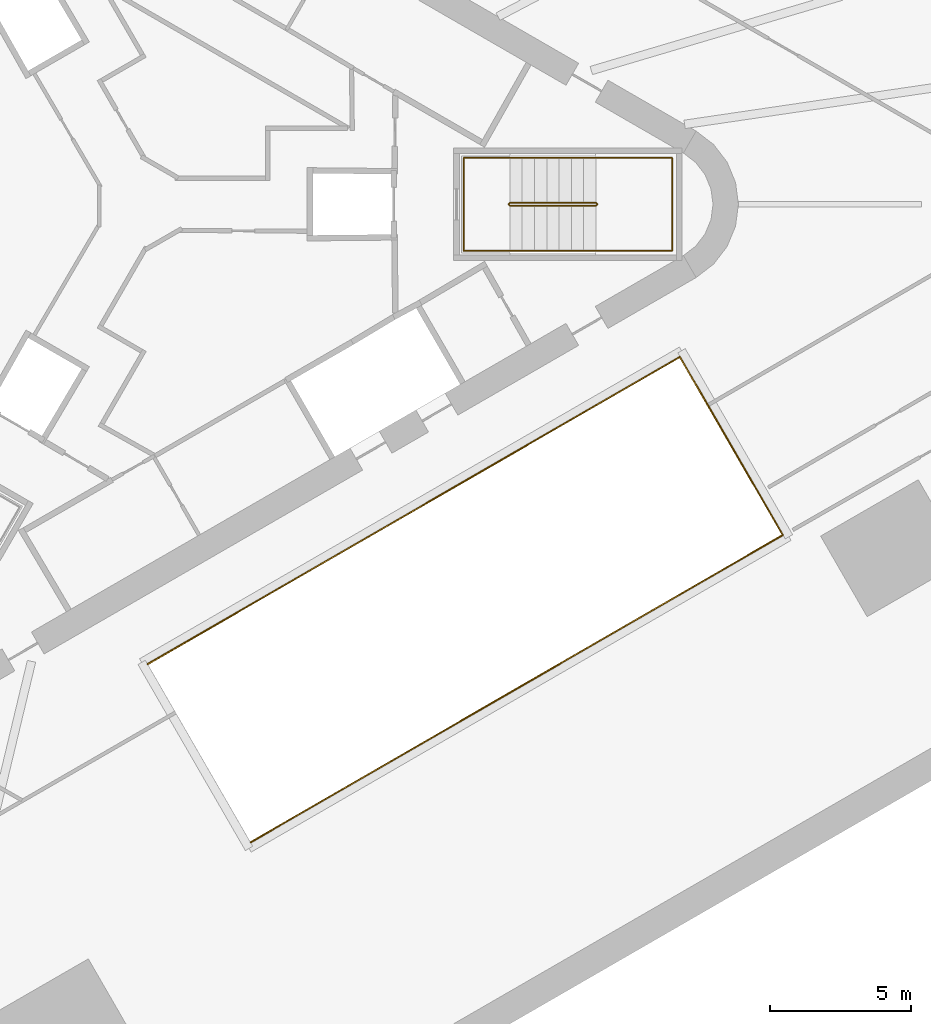
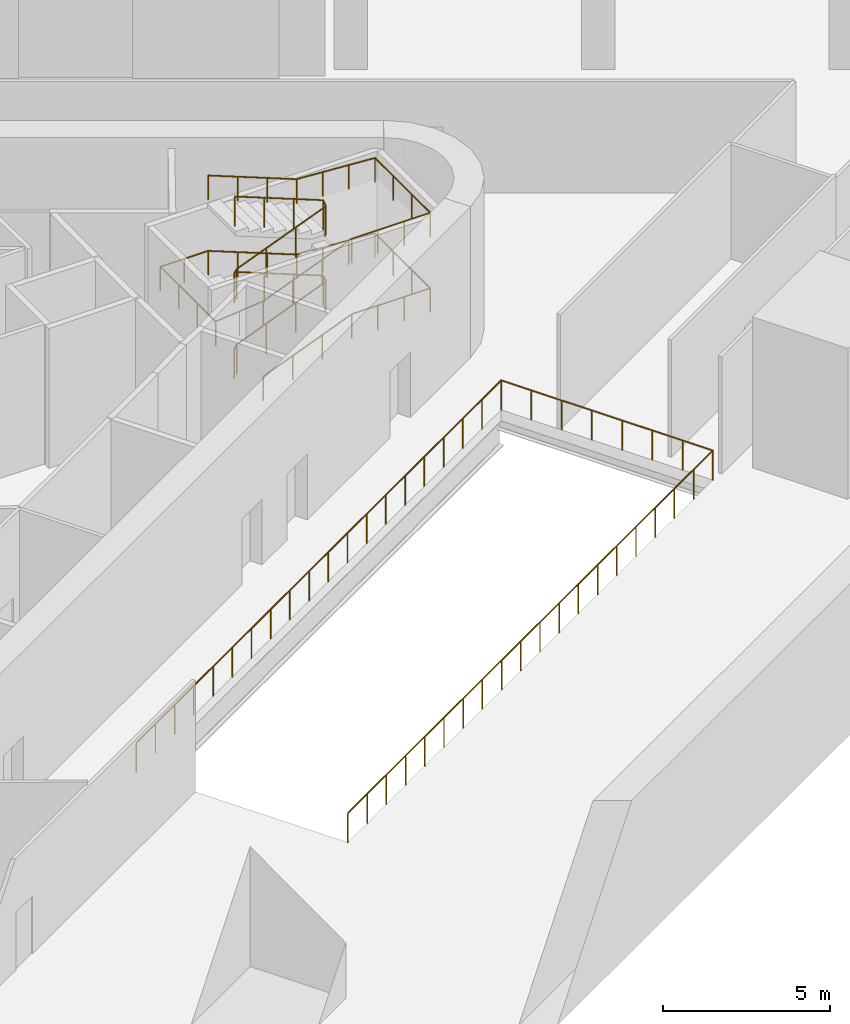
# One storey, part 13 of 13: 5 railings.
"""IFC4 building model written with IfcOpenShell, lengths in metres."""

from ifc_helpers import new_model, si_unit, direction, frame, origin, origin_2d, place, context, subcontext, project, spatial, circle, extrude, material, type_object, element, save


model = new_model("IFC4")

# Units and contexts
model_context = context("Model", 3, precision=1e-05, world=origin(), true_north=direction((0.0, 1.0)))
body_context = subcontext(model_context, "Body", "Model", "MODEL_VIEW")
ifc_project = project(units=[si_unit("LENGTHUNIT", "METRE"), si_unit("AREAUNIT", "SQUARE_METRE"), si_unit("VOLUMEUNIT", "CUBIC_METRE"), si_unit("PLANEANGLEUNIT", "RADIAN"), si_unit("MASSUNIT", "GRAM", prefix="KILO")], contexts=[model_context])

# Site, building, storey
site_placement = place(None, origin())
site = spatial("IfcSite", under=ifc_project, at=site_placement, CompositionType="ELEMENT")
building_placement = place(site_placement, origin())
building = spatial("IfcBuilding", under=site, at=building_placement, Name="Tanit Gate Tower", CompositionType="ELEMENT")
storey_placement = place(building_placement, frame((0.0, 0.0, -5.5)))
storey = spatial("IfcBuildingStorey", under=building, at=storey_placement, Name="B1", CompositionType="ELEMENT", Elevation=-5.5)

# Railings
ifc_material_1 = material(Name="Stainless steel balustrade", Category="steel")
railing_type_1 = type_object("IfcRailingType", Name="INT-STAIR-GUARD", PredefinedType="GUARDRAIL", material=ifc_material_1)
railing_1_placement = place(storey_placement, frame((13.044921875, 0.0048828125, 0.0)))
element("IfcRailing", 1, at=railing_1_placement, inside=storey, type_object=railing_type_1, Name="B1 S1 stair guard 1", PredefinedType="GUARDRAIL", context=body_context, shape_type="SweptSolid", body=[
    extrude(circle(Radius=0.02392578125, at=origin_2d()), frame((0.0, 0.0, 1.076171875), z_axis=(0.0, -1.0, 0.0), x_axis=(1.0, 0.0, 0.0)), (0.0, 0.0, 1.0), 0.009765625),
    extrude(circle(Radius=0.02392578125, at=origin_2d()), frame((0.0, -0.009765625, 1.076171875), z_axis=(0.269255725606, -0.269255725606, 0.92466356501), x_axis=(0.707106781187, 0.707106781187, 0.0)), (0.0, 0.0, 1.0), 0.185791015625),
    extrude(circle(Radius=0.02392578125, at=origin_2d()), frame((0.050048828125, -0.059814453125, 1.248046875), z_axis=(0.930282949324, 0.0, 0.366842792212), x_axis=(0.0, 1.0, 0.0)), (0.0, 0.0, 1.0), 3.27978515625),
    extrude(circle(Radius=0.02392578125, at=origin_2d()), frame((3.10107421875, -0.059814453125, 2.451171875), z_axis=(0.707106781187, 0.707106781187, 0.0), x_axis=(-0.707106781187, 0.707106781187, 0.0)), (0.0, 0.0, 1.0), 0.07080078125),
    extrude(circle(Radius=0.02392578125, at=origin_2d()), frame((3.151123046875, -0.009765625, 2.451171875), z_axis=(0.0, 1.0, 0.0), x_axis=(-1.0, 0.0, 0.0)), (0.0, 0.0, 1.0), 0.009765625),
    extrude(circle(Radius=0.02392578125, at=origin_2d()), frame((3.151123046875, 0.0, 2.451171875), z_axis=(-0.269255725606, 0.269255725606, 0.92466356501), x_axis=(-0.707106781187, -0.707106781187, 0.0)), (0.0, 0.0, 1.0), 0.185791015625),
    extrude(circle(Radius=0.02392578125, at=origin_2d()), frame((3.10107421875, 0.050048828125, 2.623046875), z_axis=(-0.930282949324, 0.0, 0.366842792212), x_axis=(0.0, -1.0, 0.0)), (0.0, 0.0, 1.0), 3.27978515625),
    extrude(circle(Radius=0.02392578125, at=origin_2d()), frame((0.050048828125, 0.050048828125, 3.826171875), z_axis=(-0.707106781187, -0.707106781187, 0.0), x_axis=(0.707106781187, -0.707106781187, 0.0)), (0.0, 0.0, 1.0), 0.07080078125),
    extrude(circle(Radius=0.02392578125, at=origin_2d()), frame((0.0, 0.0, 3.826171875), z_axis=(0.0, -1.0, 0.0), x_axis=(1.0, 0.0, 0.0)), (0.0, 0.0, 1.0), 0.009765625),
    extrude(circle(Radius=0.02392578125, at=origin_2d()), frame((0.0, -0.009765625, 3.826171875), z_axis=(0.269255725606, -0.269255725606, 0.92466356501), x_axis=(0.707106781187, 0.707106781187, 0.0)), (0.0, 0.0, 1.0), 0.185791015625),
    extrude(circle(Radius=0.02392578125, at=origin_2d()), frame((0.050048828125, -0.059814453125, 3.998046875), z_axis=(0.930282949324, 0.0, 0.366842792212), x_axis=(0.0, 1.0, 0.0)), (0.0, 0.0, 1.0), 3.27978515625),
    extrude(circle(Radius=0.02392578125, at=origin_2d()), frame((3.10107421875, -0.059814453125, 5.201171875), z_axis=(0.707106781187, 0.707106781187, 0.0), x_axis=(-0.707106781187, 0.707106781187, 0.0)), (0.0, 0.0, 1.0), 0.07080078125),
    extrude(circle(Radius=0.02392578125, at=origin_2d()), frame((3.151123046875, -0.009765625, 5.201171875), z_axis=(0.0, 1.0, 0.0), x_axis=(-1.0, 0.0, 0.0)), (0.0, 0.0, 1.0), 0.009765625),
    extrude(circle(Radius=0.02392578125, at=origin_2d()), frame((3.151123046875, 0.0, 5.201171875), z_axis=(-0.269255725606, 0.269255725606, 0.92466356501), x_axis=(-0.707106781187, -0.707106781187, 0.0)), (0.0, 0.0, 1.0), 0.185791015625),
    extrude(circle(Radius=0.02392578125, at=origin_2d()), frame((3.10107421875, 0.050048828125, 5.373046875), z_axis=(-0.930282949324, 0.0, 0.366842792212), x_axis=(0.0, -1.0, 0.0)), (0.0, 0.0, 1.0), 3.27978515625),
    extrude(circle(Radius=0.02099609375, at=origin_2d()), origin(), (0.0, 0.0, 1.0), 1.052001953125),
    extrude(circle(Radius=0.02099609375, at=origin_2d()), frame((0.0, -0.009765625, 0.0)), (0.0, 0.0, 1.0), 1.052001953125),
    extrude(circle(Radius=0.02099609375, at=origin_2d()), frame((0.050048828125, -0.059814453125, 0.171875)), (0.0, 0.0, 1.0), 1.052001953125),
    extrude(circle(Radius=0.02099609375, at=origin_2d()), frame((1.067138671875, -0.059814453125, 0.572998046875)), (0.0, 0.0, 1.0), 1.052001953125),
    extrude(circle(Radius=0.02099609375, at=origin_2d()), frame((2.083984375, -0.059814453125, 0.973876953125)), (0.0, 0.0, 1.0), 1.052001953125),
    extrude(circle(Radius=0.02099609375, at=origin_2d()), frame((3.10107421875, -0.059814453125, 1.375)), (0.0, 0.0, 1.0), 1.052001953125),
    extrude(circle(Radius=0.02099609375, at=origin_2d()), frame((3.151123046875, -0.009765625, 1.375)), (0.0, 0.0, 1.0), 1.052001953125),
    extrude(circle(Radius=0.02099609375, at=origin_2d()), frame((3.151123046875, 0.0, 1.375)), (0.0, 0.0, 1.0), 1.052001953125),
    extrude(circle(Radius=0.02099609375, at=origin_2d()), frame((3.10107421875, 0.050048828125, 1.546875)), (0.0, 0.0, 1.0), 1.052001953125),
    extrude(circle(Radius=0.02099609375, at=origin_2d()), frame((2.083984375, 0.050048828125, 1.947998046875)), (0.0, 0.0, 1.0), 1.052001953125),
    extrude(circle(Radius=0.02099609375, at=origin_2d()), frame((1.067138671875, 0.050048828125, 2.348876953125)), (0.0, 0.0, 1.0), 1.052001953125),
    extrude(circle(Radius=0.02099609375, at=origin_2d()), frame((0.050048828125, 0.050048828125, 2.75)), (0.0, 0.0, 1.0), 1.052001953125),
    extrude(circle(Radius=0.02099609375, at=origin_2d()), frame((0.0, 0.0, 2.75)), (0.0, 0.0, 1.0), 1.052001953125),
    extrude(circle(Radius=0.02099609375, at=origin_2d()), frame((0.0, -0.009765625, 2.75)), (0.0, 0.0, 1.0), 1.052001953125),
    extrude(circle(Radius=0.02099609375, at=origin_2d()), frame((0.050048828125, -0.059814453125, 2.921875)), (0.0, 0.0, 1.0), 1.052001953125),
    extrude(circle(Radius=0.02099609375, at=origin_2d()), frame((1.067138671875, -0.059814453125, 3.322998046875)), (0.0, 0.0, 1.0), 1.052001953125),
    extrude(circle(Radius=0.02099609375, at=origin_2d()), frame((2.083984375, -0.059814453125, 3.723876953125)), (0.0, 0.0, 1.0), 1.052001953125),
    extrude(circle(Radius=0.02099609375, at=origin_2d()), frame((3.10107421875, -0.059814453125, 4.125)), (0.0, 0.0, 1.0), 1.052001953125),
    extrude(circle(Radius=0.02099609375, at=origin_2d()), frame((3.151123046875, -0.009765625, 4.125)), (0.0, 0.0, 1.0), 1.052001953125),
    extrude(circle(Radius=0.02099609375, at=origin_2d()), frame((3.151123046875, 0.0, 4.125)), (0.0, 0.0, 1.0), 1.052001953125),
    extrude(circle(Radius=0.02099609375, at=origin_2d()), frame((3.10107421875, 0.050048828125, 4.296875)), (0.0, 0.0, 1.0), 1.052001953125),
    extrude(circle(Radius=0.02099609375, at=origin_2d()), frame((2.083984375, 0.050048828125, 4.697998046875)), (0.0, 0.0, 1.0), 1.052001953125),
    extrude(circle(Radius=0.02099609375, at=origin_2d()), frame((1.067138671875, 0.050048828125, 5.098876953125)), (0.0, 0.0, 1.0), 1.052001953125),
    extrude(circle(Radius=0.02099609375, at=origin_2d()), frame((0.050048828125, 0.050048828125, 5.5)), (0.0, 0.0, 1.0), 1.052001953125),
])
ifc_material_2 = material(Name="Stainless steel handrail", Category="steel")
railing_type_2 = type_object("IfcRailingType", Name="INT-STAIR-HANDRAIL", PredefinedType="HANDRAIL", material=ifc_material_2)
railing_2_placement = place(storey_placement, frame((13.094970703125, -1.64990234375, 0.171875)))
element("IfcRailing", 2, at=railing_2_placement, inside=storey, type_object=railing_type_2, Name="B1 S1 stair handrail 1", PredefinedType="HANDRAIL", context=body_context, shape_type="SweptSolid", body=[
    extrude(circle(Radius=0.02392578125, at=origin_2d()), frame((0.0, 0.0, 0.8759765625), z_axis=(0.930282949324, 0.0, 0.366842792212), x_axis=(0.0, 1.0, 0.0)), (0.0, 0.0, 1.0), 3.27978515625),
    extrude(circle(Radius=0.02392578125, at=origin_2d()), frame((3.051025390625, 0.0, 2.0791015625), z_axis=(1.0, 0.0, 0.0), x_axis=(0.0, 1.0, 0.0)), (0.0, 0.0, 1.0), 2.7041015625),
    extrude(circle(Radius=0.02392578125, at=origin_2d()), frame((5.755126953125, 0.0, 2.0791015625), z_axis=(0.0, 1.0, 0.0), x_axis=(-1.0, 0.0, 0.0)), (0.0, 0.0, 1.0), 3.2998046875),
    extrude(circle(Radius=0.02392578125, at=origin_2d()), frame((5.755126953125, 3.2998046875, 2.0791015625), z_axis=(-0.99798610904, 0.0, 0.063432847667), x_axis=(0.0, -1.0, 0.0)), (0.0, 0.0, 1.0), 2.70947265625),
    extrude(circle(Radius=0.02392578125, at=origin_2d()), frame((3.051025390625, 3.2998046875, 2.2509765625), z_axis=(-0.930282949324, 0.0, 0.366842792212), x_axis=(0.0, -1.0, 0.0)), (0.0, 0.0, 1.0), 3.27978515625),
    extrude(circle(Radius=0.02392578125, at=origin_2d()), frame((0.0, 3.2998046875, 3.4541015625), z_axis=(-1.0, 0.0, 0.0), x_axis=(0.0, -1.0, 0.0)), (0.0, 0.0, 1.0), 1.64501953125),
    extrude(circle(Radius=0.02392578125, at=origin_2d()), frame((-1.64501953125, 3.2998046875, 3.4541015625), z_axis=(0.0, -1.0, 0.0), x_axis=(1.0, 0.0, 0.0)), (0.0, 0.0, 1.0), 3.2998046875),
    extrude(circle(Radius=0.02392578125, at=origin_2d()), frame((-1.64501953125, 0.0, 3.4541015625), z_axis=(0.994586037459, 0.0, 0.103916380287), x_axis=(0.0, 1.0, 0.0)), (0.0, 0.0, 1.0), 1.654052734375),
    extrude(circle(Radius=0.02392578125, at=origin_2d()), frame((0.0, 0.0, 3.6259765625), z_axis=(0.930282949324, 0.0, 0.366842792212), x_axis=(0.0, 1.0, 0.0)), (0.0, 0.0, 1.0), 3.27978515625),
    extrude(circle(Radius=0.02392578125, at=origin_2d()), frame((3.051025390625, 0.0, 4.8291015625), z_axis=(1.0, 0.0, 0.0), x_axis=(0.0, 1.0, 0.0)), (0.0, 0.0, 1.0), 2.7041015625),
    extrude(circle(Radius=0.02392578125, at=origin_2d()), frame((5.755126953125, 0.0, 4.8291015625), z_axis=(0.0, 1.0, 0.0), x_axis=(-1.0, 0.0, 0.0)), (0.0, 0.0, 1.0), 3.2998046875),
    extrude(circle(Radius=0.02392578125, at=origin_2d()), frame((5.755126953125, 3.2998046875, 4.8291015625), z_axis=(-0.99798610904, 0.0, 0.063432847667), x_axis=(0.0, -1.0, 0.0)), (0.0, 0.0, 1.0), 2.70947265625),
    extrude(circle(Radius=0.02392578125, at=origin_2d()), frame((3.051025390625, 3.2998046875, 5.0009765625), z_axis=(-0.930282949324, 0.0, 0.366842792212), x_axis=(0.0, -1.0, 0.0)), (0.0, 0.0, 1.0), 3.27978515625),
    extrude(circle(Radius=0.02099609375, at=origin_2d()), origin(), (0.0, 0.0, 1.0), 0.851806640625),
    extrude(circle(Radius=0.02099609375, at=origin_2d()), frame((1.01708984375, 0.0, 0.401123046875)), (0.0, 0.0, 1.0), 0.851806640625),
    extrude(circle(Radius=0.02099609375, at=origin_2d()), frame((2.033935546875, 0.0, 0.802001953125)), (0.0, 0.0, 1.0), 0.851806640625),
    extrude(circle(Radius=0.02099609375, at=origin_2d()), frame((3.051025390625, 0.0, 1.203125)), (0.0, 0.0, 1.0), 0.851806640625),
    extrude(circle(Radius=0.02099609375, at=origin_2d()), frame((3.952392578125, 0.0, 1.203125)), (0.0, 0.0, 1.0), 0.851806640625),
    extrude(circle(Radius=0.02099609375, at=origin_2d()), frame((4.853759765625, 0.0, 1.203125)), (0.0, 0.0, 1.0), 0.851806640625),
    extrude(circle(Radius=0.02099609375, at=origin_2d()), frame((5.755126953125, 0.0, 1.203125)), (0.0, 0.0, 1.0), 0.851806640625),
    extrude(circle(Radius=0.02099609375, at=origin_2d()), frame((5.755126953125, 1.099853515625, 1.203125)), (0.0, 0.0, 1.0), 0.851806640625),
    extrude(circle(Radius=0.02099609375, at=origin_2d()), frame((5.755126953125, 2.199951171875, 1.203125)), (0.0, 0.0, 1.0), 0.851806640625),
    extrude(circle(Radius=0.02099609375, at=origin_2d()), frame((5.755126953125, 3.2998046875, 1.203125)), (0.0, 0.0, 1.0), 0.851806640625),
    extrude(circle(Radius=0.02099609375, at=origin_2d()), frame((4.853759765625, 3.2998046875, 1.260498046875)), (0.0, 0.0, 1.0), 0.851806640625),
    extrude(circle(Radius=0.02099609375, at=origin_2d()), frame((3.952392578125, 3.2998046875, 1.317626953125)), (0.0, 0.0, 1.0), 0.851806640625),
    extrude(circle(Radius=0.02099609375, at=origin_2d()), frame((3.051025390625, 3.2998046875, 1.375)), (0.0, 0.0, 1.0), 0.851806640625),
    extrude(circle(Radius=0.02099609375, at=origin_2d()), frame((2.033935546875, 3.2998046875, 1.776123046875)), (0.0, 0.0, 1.0), 0.851806640625),
    extrude(circle(Radius=0.02099609375, at=origin_2d()), frame((1.01708984375, 3.2998046875, 2.177001953125)), (0.0, 0.0, 1.0), 0.851806640625),
    extrude(circle(Radius=0.02099609375, at=origin_2d()), frame((0.0, 3.2998046875, 2.578125)), (0.0, 0.0, 1.0), 0.851806640625),
    extrude(circle(Radius=0.02099609375, at=origin_2d()), frame((-0.822509765625, 3.2998046875, 2.578125)), (0.0, 0.0, 1.0), 0.851806640625),
    extrude(circle(Radius=0.02099609375, at=origin_2d()), frame((-1.64501953125, 3.2998046875, 2.578125)), (0.0, 0.0, 1.0), 0.851806640625),
    extrude(circle(Radius=0.02099609375, at=origin_2d()), frame((-1.64501953125, 2.199951171875, 2.578125)), (0.0, 0.0, 1.0), 0.851806640625),
    extrude(circle(Radius=0.02099609375, at=origin_2d()), frame((-1.64501953125, 1.099853515625, 2.578125)), (0.0, 0.0, 1.0), 0.851806640625),
    extrude(circle(Radius=0.02099609375, at=origin_2d()), frame((-1.64501953125, 0.0, 2.578125)), (0.0, 0.0, 1.0), 0.851806640625),
    extrude(circle(Radius=0.02099609375, at=origin_2d()), frame((-0.822509765625, 0.0, 2.6640625)), (0.0, 0.0, 1.0), 0.851806640625),
    extrude(circle(Radius=0.02099609375, at=origin_2d()), frame((0.0, 0.0, 2.75)), (0.0, 0.0, 1.0), 0.851806640625),
    extrude(circle(Radius=0.02099609375, at=origin_2d()), frame((1.01708984375, 0.0, 3.151123046875)), (0.0, 0.0, 1.0), 0.851806640625),
    extrude(circle(Radius=0.02099609375, at=origin_2d()), frame((2.033935546875, 0.0, 3.552001953125)), (0.0, 0.0, 1.0), 0.851806640625),
    extrude(circle(Radius=0.02099609375, at=origin_2d()), frame((3.051025390625, 0.0, 3.953125)), (0.0, 0.0, 1.0), 0.851806640625),
    extrude(circle(Radius=0.02099609375, at=origin_2d()), frame((3.952392578125, 0.0, 3.953125)), (0.0, 0.0, 1.0), 0.851806640625),
    extrude(circle(Radius=0.02099609375, at=origin_2d()), frame((4.853759765625, 0.0, 3.953125)), (0.0, 0.0, 1.0), 0.851806640625),
    extrude(circle(Radius=0.02099609375, at=origin_2d()), frame((5.755126953125, 0.0, 3.953125)), (0.0, 0.0, 1.0), 0.851806640625),
    extrude(circle(Radius=0.02099609375, at=origin_2d()), frame((5.755126953125, 1.099853515625, 3.953125)), (0.0, 0.0, 1.0), 0.851806640625),
    extrude(circle(Radius=0.02099609375, at=origin_2d()), frame((5.755126953125, 2.199951171875, 3.953125)), (0.0, 0.0, 1.0), 0.851806640625),
    extrude(circle(Radius=0.02099609375, at=origin_2d()), frame((5.755126953125, 3.2998046875, 3.953125)), (0.0, 0.0, 1.0), 0.851806640625),
    extrude(circle(Radius=0.02099609375, at=origin_2d()), frame((4.853759765625, 3.2998046875, 4.010498046875)), (0.0, 0.0, 1.0), 0.851806640625),
    extrude(circle(Radius=0.02099609375, at=origin_2d()), frame((3.952392578125, 3.2998046875, 4.067626953125)), (0.0, 0.0, 1.0), 0.851806640625),
    extrude(circle(Radius=0.02099609375, at=origin_2d()), frame((3.051025390625, 3.2998046875, 4.125)), (0.0, 0.0, 1.0), 0.851806640625),
    extrude(circle(Radius=0.02099609375, at=origin_2d()), frame((2.033935546875, 3.2998046875, 4.526123046875)), (0.0, 0.0, 1.0), 0.851806640625),
    extrude(circle(Radius=0.02099609375, at=origin_2d()), frame((1.01708984375, 3.2998046875, 4.927001953125)), (0.0, 0.0, 1.0), 0.851806640625),
    extrude(circle(Radius=0.02099609375, at=origin_2d()), frame((0.0, 3.2998046875, 5.328125)), (0.0, 0.0, 1.0), 0.851806640625),
])
ifc_material_3 = material(Name="Steel S355", Category="steel")
railing_type_3 = type_object("IfcRailingType", Name="Ramp opening guard 1100", PredefinedType="GUARDRAIL", material=ifc_material_3)
railing_3_placement = place(storey_placement, frame((19.124755859375, -5.412841796875, 0.0)))
element("IfcRailing", 3, at=railing_3_placement, inside=storey, type_object=railing_type_3, Name="RAMP OPENING GUARD", PredefinedType="GUARDRAIL", context=body_context, shape_type="SweptSolid", body=[
    extrude(circle(Radius=0.02392578125, at=origin_2d()), frame((0.0, 0.0, 1.076171875), z_axis=(-0.866027609777, -0.499996179089, 0.0), x_axis=(0.499996179089, -0.866027609777, 0.0)), (0.0, 0.0, 1.0), 21.798095703125),
    extrude(circle(Radius=0.02099609375, at=origin_2d()), origin(), (0.0, 0.0, 1.0), 1.052001953125),
    extrude(circle(Radius=0.02099609375, at=origin_2d()), frame((-0.99365234375, -0.57373046875, 0.0)), (0.0, 0.0, 1.0), 1.052001953125),
    extrude(circle(Radius=0.02099609375, at=origin_2d()), frame((-1.987060546875, -1.147216796875, 0.0)), (0.0, 0.0, 1.0), 1.052001953125),
    extrude(circle(Radius=0.02099609375, at=origin_2d()), frame((-2.980712890625, -1.720947265625, 0.0)), (0.0, 0.0, 1.0), 1.052001953125),
    extrude(circle(Radius=0.02099609375, at=origin_2d()), frame((-3.974365234375, -2.29443359375, 0.0)), (0.0, 0.0, 1.0), 1.052001953125),
    extrude(circle(Radius=0.02099609375, at=origin_2d()), frame((-4.9677734375, -2.8681640625, 0.0)), (0.0, 0.0, 1.0), 1.052001953125),
    extrude(circle(Radius=0.02099609375, at=origin_2d()), frame((-5.96142578125, -3.441650390625, 0.0)), (0.0, 0.0, 1.0), 1.052001953125),
    extrude(circle(Radius=0.02099609375, at=origin_2d()), frame((-6.954833984375, -4.015380859375, 0.0)), (0.0, 0.0, 1.0), 1.052001953125),
    extrude(circle(Radius=0.02099609375, at=origin_2d()), frame((-7.948486328125, -4.589111328125, 0.0)), (0.0, 0.0, 1.0), 1.052001953125),
    extrude(circle(Radius=0.02099609375, at=origin_2d()), frame((-8.942138671875, -5.16259765625, 0.0)), (0.0, 0.0, 1.0), 1.052001953125),
    extrude(circle(Radius=0.02099609375, at=origin_2d()), frame((-9.935546875, -5.736328125, 0.0)), (0.0, 0.0, 1.0), 1.052001953125),
    extrude(circle(Radius=0.02099609375, at=origin_2d()), frame((-10.92919921875, -6.309814453125, 0.0)), (0.0, 0.0, 1.0), 1.052001953125),
    extrude(circle(Radius=0.02099609375, at=origin_2d()), frame((-11.9228515625, -6.883544921875, 0.0)), (0.0, 0.0, 1.0), 1.052001953125),
    extrude(circle(Radius=0.02099609375, at=origin_2d()), frame((-12.916259765625, -7.457275390625, 0.0)), (0.0, 0.0, 1.0), 1.052001953125),
    extrude(circle(Radius=0.02099609375, at=origin_2d()), frame((-13.909912109375, -8.03076171875, 0.0)), (0.0, 0.0, 1.0), 1.052001953125),
    extrude(circle(Radius=0.02099609375, at=origin_2d()), frame((-14.9033203125, -8.6044921875, 0.0)), (0.0, 0.0, 1.0), 1.052001953125),
    extrude(circle(Radius=0.02099609375, at=origin_2d()), frame((-15.89697265625, -9.177978515625, 0.0)), (0.0, 0.0, 1.0), 1.052001953125),
    extrude(circle(Radius=0.02099609375, at=origin_2d()), frame((-16.890625, -9.751708984375, 0.0)), (0.0, 0.0, 1.0), 1.052001953125),
    extrude(circle(Radius=0.02099609375, at=origin_2d()), frame((-17.884033203125, -10.3251953125, 0.0)), (0.0, 0.0, 1.0), 1.052001953125),
    extrude(circle(Radius=0.02099609375, at=origin_2d()), frame((-18.877685546875, -10.89892578125, 0.0)), (0.0, 0.0, 1.0), 1.052001953125),
])
railing_4_placement = place(storey_placement, frame((3.897216796875, -22.6337890625, 0.0)))
element("IfcRailing", 4, at=railing_4_placement, inside=storey, type_object=railing_type_3, Name="RAMP OPENING GUARD", PredefinedType="GUARDRAIL", context=body_context, shape_type="SweptSolid", body=[
    extrude(circle(Radius=0.02392578125, at=origin_2d()), frame((0.0, 0.0, 1.076171875), z_axis=(0.866024809747, 0.500001028902, 0.0), x_axis=(-0.500001028902, 0.866024809747, 0.0)), (0.0, 0.0, 1.0), 21.7978515625),
    extrude(circle(Radius=0.02099609375, at=origin_2d()), origin(), (0.0, 0.0, 1.0), 1.052001953125),
    extrude(circle(Radius=0.02099609375, at=origin_2d()), frame((0.99365234375, 0.57373046875, 0.0)), (0.0, 0.0, 1.0), 1.052001953125),
    extrude(circle(Radius=0.02099609375, at=origin_2d()), frame((1.987060546875, 1.147216796875, 0.0)), (0.0, 0.0, 1.0), 1.052001953125),
    extrude(circle(Radius=0.02099609375, at=origin_2d()), frame((2.980712890625, 1.720947265625, 0.0)), (0.0, 0.0, 1.0), 1.052001953125),
    extrude(circle(Radius=0.02099609375, at=origin_2d()), frame((3.97412109375, 2.29443359375, 0.0)), (0.0, 0.0, 1.0), 1.052001953125),
    extrude(circle(Radius=0.02099609375, at=origin_2d()), frame((4.9677734375, 2.8681640625, 0.0)), (0.0, 0.0, 1.0), 1.052001953125),
    extrude(circle(Radius=0.02099609375, at=origin_2d()), frame((5.961181640625, 3.441650390625, 0.0)), (0.0, 0.0, 1.0), 1.052001953125),
    extrude(circle(Radius=0.02099609375, at=origin_2d()), frame((6.954833984375, 4.015380859375, 0.0)), (0.0, 0.0, 1.0), 1.052001953125),
    extrude(circle(Radius=0.02099609375, at=origin_2d()), frame((7.948486328125, 4.589111328125, 0.0)), (0.0, 0.0, 1.0), 1.052001953125),
    extrude(circle(Radius=0.02099609375, at=origin_2d()), frame((8.94189453125, 5.16259765625, 0.0)), (0.0, 0.0, 1.0), 1.052001953125),
    extrude(circle(Radius=0.02099609375, at=origin_2d()), frame((9.935546875, 5.736328125, 0.0)), (0.0, 0.0, 1.0), 1.052001953125),
    extrude(circle(Radius=0.02099609375, at=origin_2d()), frame((10.928955078125, 6.309814453125, 0.0)), (0.0, 0.0, 1.0), 1.052001953125),
    extrude(circle(Radius=0.02099609375, at=origin_2d()), frame((11.922607421875, 6.883544921875, 0.0)), (0.0, 0.0, 1.0), 1.052001953125),
    extrude(circle(Radius=0.02099609375, at=origin_2d()), frame((12.916259765625, 7.457275390625, 0.0)), (0.0, 0.0, 1.0), 1.052001953125),
    extrude(circle(Radius=0.02099609375, at=origin_2d()), frame((13.90966796875, 8.03076171875, 0.0)), (0.0, 0.0, 1.0), 1.052001953125),
    extrude(circle(Radius=0.02099609375, at=origin_2d()), frame((14.9033203125, 8.6044921875, 0.0)), (0.0, 0.0, 1.0), 1.052001953125),
    extrude(circle(Radius=0.02099609375, at=origin_2d()), frame((15.896728515625, 9.177978515625, 0.0)), (0.0, 0.0, 1.0), 1.052001953125),
    extrude(circle(Radius=0.02099609375, at=origin_2d()), frame((16.890380859375, 9.751708984375, 0.0)), (0.0, 0.0, 1.0), 1.052001953125),
    extrude(circle(Radius=0.02099609375, at=origin_2d()), frame((17.8837890625, 10.3251953125, 0.0)), (0.0, 0.0, 1.0), 1.052001953125),
    extrude(circle(Radius=0.02099609375, at=origin_2d()), frame((18.87744140625, 10.89892578125, 0.0)), (0.0, 0.0, 1.0), 1.052001953125),
])
railing_5_placement = place(storey_placement, frame((22.774658203125, -11.73486328125, 0.0)))
element("IfcRailing", 5, at=railing_5_placement, inside=storey, type_object=railing_type_3, Name="RAMP OPENING GUARD", PredefinedType="GUARDRAIL", context=body_context, shape_type="SweptSolid", body=[
    extrude(circle(Radius=0.02392578125, at=origin_2d()), frame((0.0, 0.0, 1.076171875), z_axis=(-0.49998782916, 0.866032430508, 0.0), x_axis=(-0.866032430508, -0.49998782916, 0.0)), (0.0, 0.0, 1.0), 7.300048828125),
    extrude(circle(Radius=0.02099609375, at=origin_2d()), origin(), (0.0, 0.0, 1.0), 1.052001953125),
    extrude(circle(Radius=0.02099609375, at=origin_2d()), frame((-0.521484375, 0.903076171875, 0.0)), (0.0, 0.0, 1.0), 1.052001953125),
    extrude(circle(Radius=0.02099609375, at=origin_2d()), frame((-1.042724609375, 1.806396484375, 0.0)), (0.0, 0.0, 1.0), 1.052001953125),
    extrude(circle(Radius=0.02099609375, at=origin_2d()), frame((-1.564208984375, 2.70947265625, 0.0)), (0.0, 0.0, 1.0), 1.052001953125),
    extrude(circle(Radius=0.02099609375, at=origin_2d()), frame((-2.085693359375, 3.612548828125, 0.0)), (0.0, 0.0, 1.0), 1.052001953125),
    extrude(circle(Radius=0.02099609375, at=origin_2d()), frame((-2.607177734375, 4.515625, 0.0)), (0.0, 0.0, 1.0), 1.052001953125),
    extrude(circle(Radius=0.02099609375, at=origin_2d()), frame((-3.12841796875, 5.4189453125, 0.0)), (0.0, 0.0, 1.0), 1.052001953125),
    extrude(circle(Radius=0.02099609375, at=origin_2d()), frame((-3.64990234375, 6.322021484375, 0.0)), (0.0, 0.0, 1.0), 1.052001953125),
])

save(model, "model.ifc")
